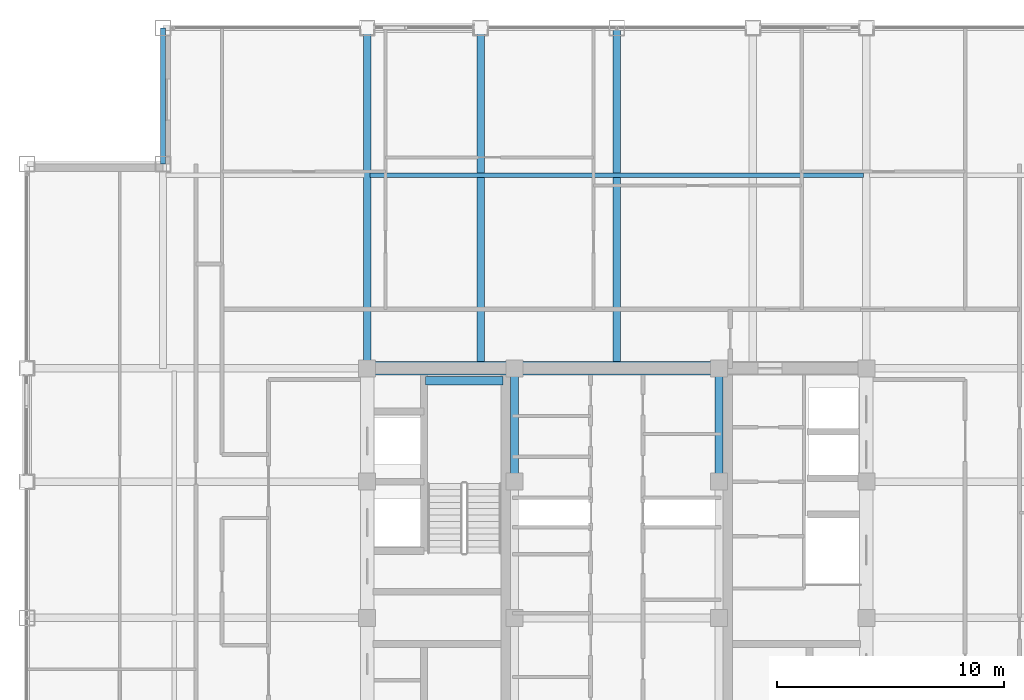
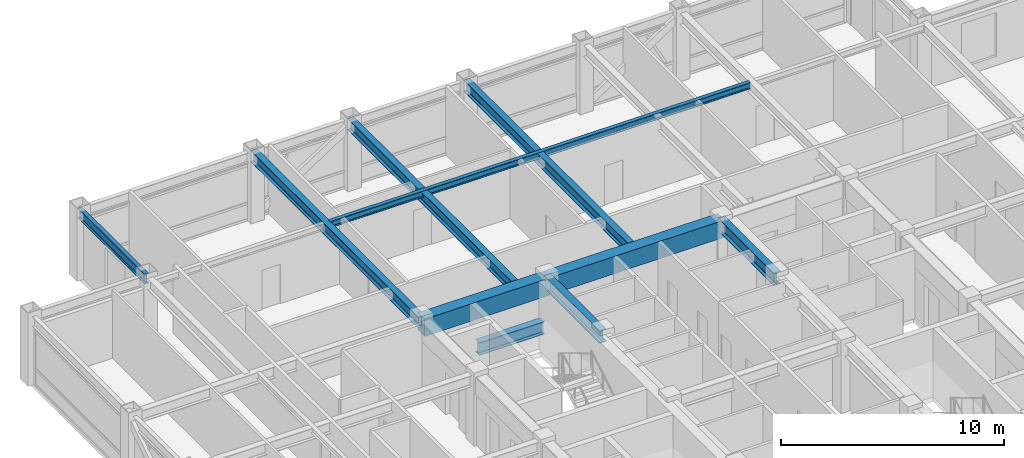
# One storey, part 15 of 29: 10 beams.
"""IFC4 building model written with IfcOpenShell, lengths in metres."""

from ifc_helpers import new_model, si_unit, direction, frame, origin, origin_2d, place, context, subcontext, project, spatial, rectangle, i_section, extrude, source, transform, mapped, material, material_profile, profile_set, type_object, element, save


model = new_model("IFC4")

# Units and contexts
model_context = context("Model", 3, precision=1e-05, world=origin(), true_north=direction((0.0, 1.0)))
body_context = subcontext(model_context, "Body", "Model", "MODEL_VIEW")
ifc_project = project(units=[si_unit("LENGTHUNIT", "METRE"), si_unit("AREAUNIT", "SQUARE_METRE"), si_unit("VOLUMEUNIT", "CUBIC_METRE"), si_unit("PLANEANGLEUNIT", "RADIAN"), si_unit("MASSUNIT", "GRAM", prefix="KILO")], contexts=[model_context])

# Site, building, storey
site_placement = place(None, origin())
site = spatial("IfcSite", under=ifc_project, at=site_placement, CompositionType="ELEMENT")
building_placement = place(site_placement, origin())
building = spatial("IfcBuilding", under=site, at=building_placement, Name="Khorayat Bourse Tower", CompositionType="ELEMENT")
storey_placement = place(building_placement, frame((0.0, 0.0, 358.300048828125)))
storey = spatial("IfcBuildingStorey", under=building, at=storey_placement, Name="L85", CompositionType="ELEMENT", Elevation=358.300048828125)

# Beams
ifc_material_1 = material(Name="Steel ASTM A992 Grade 50", Category="steel")
ifc_material_profile_1 = material_profile(ifc_material_1, i_section(OverallWidth=0.35498046875, OverallDepth=0.695068359375, WebThickness=0.015380859375, FlangeThickness=0.02490234375, FilletRadius=0.01806640625, at=origin_2d()), Name="W690X217")
ifc_profile_set_1 = profile_set([ifc_material_profile_1], Name="Steel ASTM A992 Grade 50")
beam_type_1 = type_object("IfcBeamType", Name="BM-GIRD-690", PredefinedType="BEAM", material=ifc_profile_set_1)
shared_shape_1 = source(origin(), body_context, "Body", "SweptSolid", [
    extrude(i_section(OverallWidth=0.35498046875, OverallDepth=0.695068359375, WebThickness=0.015380859375, FlangeThickness=0.02490234375, FilletRadius=0.01806640625, at=origin_2d()), origin(), (0.0, 0.0, 1.0), 5.0),
])
for number, where, z_axis, x_axis, name in (
    (1, (-4.5, 6.0, 3.392333984375), (0.0, 1.0, 0.0), (-1.0, 0.0, 0.0), "L85 BM-GIRD-690 BM-L85-CRX-08"),
    (2, (4.5, 6.0, 3.392333984375), (0.0, 1.0, 0.0), (-1.0, 0.0, 0.0), "L85 BM-GIRD-690 BM-L85-CRX-12"),
):
    element("IfcBeam", number, at=place(storey_placement, frame(where, z_axis=z_axis, x_axis=x_axis)), inside=storey, type_object=beam_type_1, Name=name, PredefinedType="BEAM", context=body_context, shape_type="MappedRepresentation", body=[
        mapped(shared_shape_1, transform((0.0, 0.0, 0.0), scale=1.0)),
    ])
shared_shape_2 = source(origin(), body_context, "Body", "SweptSolid", [
    extrude(i_section(OverallWidth=0.35498046875, OverallDepth=0.695068359375, WebThickness=0.015380859375, FlangeThickness=0.02490234375, FilletRadius=0.01806640625, at=origin_2d()), origin(), (0.0, 0.0, 1.0), 3.39990234375),
])
beam_1_placement = place(storey_placement, frame((-8.419921875, 10.449951171875, 1.452392578125), z_axis=(1.0, 0.0, 0.0), x_axis=(0.0, 1.0, 0.0)))
element("IfcBeam", 3, at=beam_1_placement, inside=storey, type_object=beam_type_1, Name="L85 BM-GIRD-690 BM-L85-ST2L", PredefinedType="BEAM", context=body_context, shape_type="MappedRepresentation", body=[
    mapped(shared_shape_2, transform((0.0, 0.0, 0.0), scale=1.0)),
])
ifc_material_2 = material(Name="Concrete C60/75", Category="concrete")
ifc_material_profile_2 = material_profile(ifc_material_2, rectangle(XDim=0.60009765625, YDim=0.949951171875, at=origin_2d()), Name="RC 600x950")
ifc_profile_set_2 = profile_set([ifc_material_profile_2], Name="Concrete C60/75")
beam_type_2 = type_object("IfcBeamType", Name="BM-COUP-950", PredefinedType="BEAM", material=ifc_profile_set_2)
shared_shape_3 = source(origin(), body_context, "Body", "SweptSolid", [
    extrude(rectangle(XDim=0.60009765625, YDim=0.949951171875, at=origin_2d()), origin(), (0.0, 0.0, 1.0), 6.5),
])
beam_2_placement = place(storey_placement, frame((-11.0, 11.0, 3.264892578125), z_axis=(1.0, 0.0, 0.0), x_axis=(0.0, 1.0, 0.0)))
element("IfcBeam", 4, at=beam_2_placement, inside=storey, type_object=beam_type_2, Name="L85 BM-COUP-950 BM-L85-CRY-20", PredefinedType="BEAM", context=body_context, shape_type="MappedRepresentation", body=[
    mapped(shared_shape_3, transform((0.0, 0.0, 0.0), scale=1.0)),
])
shared_shape_4 = source(origin(), body_context, "Body", "SweptSolid", [
    extrude(rectangle(XDim=0.60009765625, YDim=0.949951171875, at=origin_2d()), origin(), (0.0, 0.0, 1.0), 9.0),
])
beam_3_placement = place(storey_placement, frame((-4.5, 11.0, 3.264892578125), z_axis=(1.0, 0.0, 0.0), x_axis=(0.0, 1.0, 0.0)))
element("IfcBeam", 5, at=beam_3_placement, inside=storey, type_object=beam_type_2, Name="L85 BM-COUP-950 BM-L85-CRY-21", PredefinedType="BEAM", context=body_context, shape_type="MappedRepresentation", body=[
    mapped(shared_shape_4, transform((0.0, 0.0, 0.0), scale=1.0)),
])
ifc_material_profile_3 = material_profile(ifc_material_1, i_section(OverallWidth=0.202880859375, OverallDepth=0.346923828125, WebThickness=0.0078125, FlangeThickness=0.013427734375, FilletRadius=0.010009765625, at=origin_2d()), Name="W360X64")
ifc_profile_set_3 = profile_set([ifc_material_profile_3], Name="Steel ASTM A992 Grade 50")
beam_type_3 = type_object("IfcBeamType", Name="BM-JOIST-360", PredefinedType="JOIST", material=ifc_profile_set_3)
shared_shape_5 = source(origin(), body_context, "Body", "SweptSolid", [
    extrude(i_section(OverallWidth=0.202880859375, OverallDepth=0.346923828125, WebThickness=0.0078125, FlangeThickness=0.013427734375, FilletRadius=0.010009765625, at=origin_2d()), origin(), (0.0, 0.0, 1.0), 21.740234375),
])
beam_4_placement = place(storey_placement, frame((-10.8701171875, 19.5, 3.56640625), z_axis=(1.0, 0.0, 0.0), x_axis=(0.0, 1.0, 0.0)))
element("IfcBeam", 6, at=beam_4_placement, inside=storey, type_object=beam_type_3, Name="L85 BM-JOIST-360 BM-L85-JSTX-084", PredefinedType="JOIST", context=body_context, shape_type="MappedRepresentation", body=[
    mapped(shared_shape_5, transform((0.0, 0.0, 0.0), scale=1.0)),
])
ifc_material_profile_4 = material_profile(ifc_material_1, i_section(OverallWidth=0.214111328125, OverallDepth=0.549072265625, WebThickness=0.0146484375, FlangeThickness=0.023681640625, FilletRadius=0.013916015625, at=origin_2d()), Name="W530X138")
ifc_profile_set_4 = profile_set([ifc_material_profile_4], Name="Steel ASTM A992 Grade 50")
beam_type_4 = type_object("IfcBeamType", Name="BM-SPAN-530", PredefinedType="SPANDREL", material=ifc_profile_set_4)
shared_shape_6 = source(origin(), body_context, "Body", "SweptSolid", [
    extrude(i_section(OverallWidth=0.214111328125, OverallDepth=0.549072265625, WebThickness=0.0146484375, FlangeThickness=0.023681640625, FilletRadius=0.013916015625, at=origin_2d()), origin(), (0.0, 0.0, 1.0), 6.0),
])
beam_5_placement = place(storey_placement, frame((-20.0, 20.0, 3.46533203125), z_axis=(0.0, 1.0, 0.0), x_axis=(-1.0, 0.0, 0.0)))
element("IfcBeam", 7, at=beam_5_placement, inside=storey, type_object=beam_type_4, Name="L85 BM-SPAN-530 BM-L85-SPN-046", PredefinedType="SPANDREL", context=body_context, shape_type="MappedRepresentation", body=[
    mapped(shared_shape_6, transform((0.0, 0.0, 0.0), scale=1.0)),
])
ifc_material_profile_5 = material_profile(ifc_material_1, i_section(OverallWidth=0.324951171875, OverallDepth=0.615966796875, WebThickness=0.013916015625, FlangeThickness=0.021484375, FilletRadius=0.01611328125, at=origin_2d()), Name="W610X174")
ifc_profile_set_5 = profile_set([ifc_material_profile_5], Name="Steel ASTM A992 Grade 50")
beam_type_5 = type_object("IfcBeamType", Name="BM-GIRD-610", PredefinedType="BEAM", material=ifc_profile_set_5)
shared_shape_7 = source(origin(), body_context, "Body", "SweptSolid", [
    extrude(i_section(OverallWidth=0.324951171875, OverallDepth=0.615966796875, WebThickness=0.013916015625, FlangeThickness=0.021484375, FilletRadius=0.01611328125, at=origin_2d()), origin(), (0.0, 0.0, 1.0), 15.0),
])
for number, where, z_axis, x_axis, name in (
    (8, (-11.0, 11.0, 3.431884765625), (0.0, 1.0, 0.0), (-1.0, 0.0, 0.0), "L85 BM-GIRD-610 BM-L85-RADY-056"),
    (9, (-6.0, 11.0, 3.431884765625), (0.0, 1.0, 0.0), (-1.0, 0.0, 0.0), "L85 BM-GIRD-610 BM-L85-RADY-058"),
    (10, (0.0, 11.0, 3.431884765625), (0.0, 1.0, 0.0), (-1.0, 0.0, 0.0), "L85 BM-GIRD-610 BM-L85-RADY-060"),
):
    element("IfcBeam", number, at=place(storey_placement, frame(where, z_axis=z_axis, x_axis=x_axis)), inside=storey, type_object=beam_type_5, Name=name, PredefinedType="BEAM", context=body_context, shape_type="MappedRepresentation", body=[
        mapped(shared_shape_7, transform((0.0, 0.0, 0.0), scale=1.0)),
    ])

save(model, "model.ifc")
